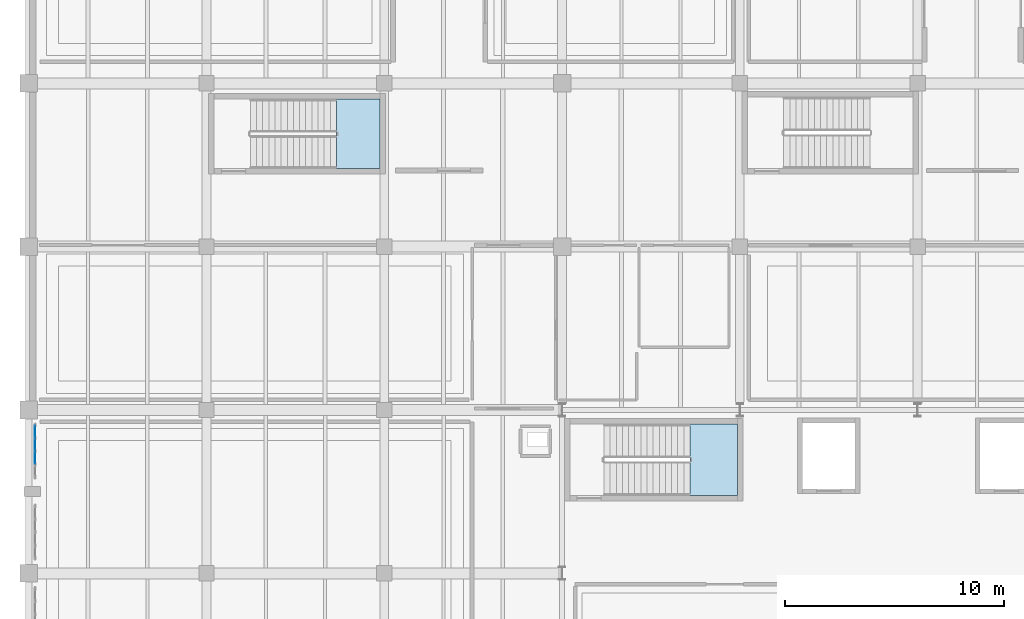
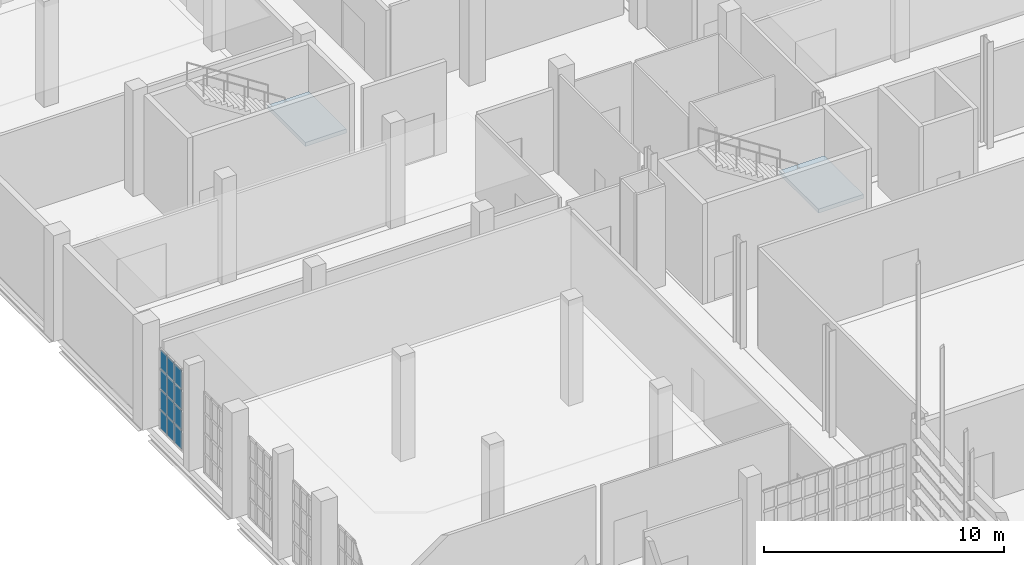
# One storey, part 337 of 372: 12 plates, 2 slabs, 3 elements without a shape of their own.
"""IFC4 building model written with IfcOpenShell, lengths in metres."""

from ifc_helpers import new_model, si_unit, direction, frame, origin, origin_2d, place, context, subcontext, project, spatial, polyline, rectangle, outline, extrude, material, layer, layer_set, type_object, element, aggregate, save


model = new_model("IFC4")

# Units and contexts
model_context = context("Model", 3, precision=1e-05, world=origin(), true_north=direction((0.0, 1.0)))
body_context = subcontext(model_context, "Body", "Model", "MODEL_VIEW")
ifc_project = project(units=[si_unit("LENGTHUNIT", "METRE"), si_unit("AREAUNIT", "SQUARE_METRE"), si_unit("VOLUMEUNIT", "CUBIC_METRE"), si_unit("PLANEANGLEUNIT", "RADIAN"), si_unit("MASSUNIT", "GRAM", prefix="KILO")], contexts=[model_context])

# Site, building, storey
site_placement = place(None, origin())
site = spatial("IfcSite", under=ifc_project, at=site_placement, CompositionType="ELEMENT")
building_placement = place(site_placement, origin())
building = spatial("IfcBuilding", under=site, at=building_placement, Name="Kaelora Sail Theatre", CompositionType="ELEMENT")
storey_placement = place(building_placement, origin())
storey = spatial("IfcBuildingStorey", under=building, at=storey_placement, Name="L00", CompositionType="ELEMENT", Elevation=0.0)

# Curtain wall, plates
ifc_material_1 = material(Name="Anodised aluminium and solar-control low-E IGU", Category="aluminium")
curtain_wall_type = type_object("IfcCurtainWallType", Name="ARC-CW-CW-FOY1", PredefinedType="NOTDEFINED", material=ifc_material_1)
curtain_wall_placement = place(storey_placement, origin())
curtain_wall = element("IfcCurtainWall", 1, at=curtain_wall_placement, inside=storey, type_object=curtain_wall_type, Name="Glazed Colonnade/Courtyard Curtain Wall FW1-W-L00-06", PredefinedType="NOTDEFINED")
ifc_material_2 = material(Name="Solar-control laminated low-E glass", Category="glass")
ifc_layer_1 = layer(ifc_material_2, 0.031982421875)
ifc_layer_set_1 = layer_set([ifc_layer_1], Name="Solar-control laminated low-E glass")
plate_type = type_object("IfcPlateType", Name="ARC-CW-PNL", PredefinedType="CURTAIN_PANEL", material=ifc_layer_set_1)
plate_1_placement = place(storey_placement, frame((1.7900390625, 81.164306640625, 0.070068359375), z_axis=(0.0, 0.0, 1.0), x_axis=(0.0, 1.0, 0.0)))
plate_1 = element("IfcPlate", 2, at=plate_1_placement, type_object=plate_type, Name="CW-FOY1 panel 2.1", PredefinedType="CURTAIN_PANEL", context=body_context, shape_type="SweptSolid", body=[
    extrude(rectangle(XDim=0.546142578125, YDim=0.031982421875, at=origin_2d()), origin(), (0.0, 0.0, 1.0), 0.92919921875),
])
plate_2_placement = place(storey_placement, frame((1.7900390625, 81.164306640625, 1.069091796875), z_axis=(0.0, 0.0, 1.0), x_axis=(0.0, 1.0, 0.0)))
plate_2 = element("IfcPlate", 3, at=plate_2_placement, type_object=plate_type, Name="CW-FOY1 panel 2.2", PredefinedType="CURTAIN_PANEL", context=body_context, shape_type="SweptSolid", body=[
    extrude(rectangle(XDim=0.546142578125, YDim=0.031982421875, at=origin_2d()), origin(), (0.0, 0.0, 1.0), 0.96435546875),
])
plate_3_placement = place(storey_placement, frame((1.7900390625, 81.164306640625, 2.103515625), z_axis=(0.0, 0.0, 1.0), x_axis=(0.0, 1.0, 0.0)))
plate_3 = element("IfcPlate", 4, at=plate_3_placement, type_object=plate_type, Name="CW-FOY1 panel 2.3", PredefinedType="CURTAIN_PANEL", context=body_context, shape_type="SweptSolid", body=[
    extrude(rectangle(XDim=0.546142578125, YDim=0.031982421875, at=origin_2d()), origin(), (0.0, 0.0, 1.0), 0.964111328125),
])
plate_4_placement = place(storey_placement, frame((1.7900390625, 81.164306640625, 3.1376953125), z_axis=(0.0, 0.0, 1.0), x_axis=(0.0, 1.0, 0.0)))
plate_4 = element("IfcPlate", 5, at=plate_4_placement, type_object=plate_type, Name="CW-FOY1 panel 2.4", PredefinedType="CURTAIN_PANEL", context=body_context, shape_type="SweptSolid", body=[
    extrude(rectangle(XDim=0.546142578125, YDim=0.031982421875, at=origin_2d()), origin(), (0.0, 0.0, 1.0), 0.92919921875),
])
plate_5_placement = place(storey_placement, frame((1.7900390625, 81.7705078125, 0.070068359375), z_axis=(0.0, 0.0, 1.0), x_axis=(0.0, 1.0, 0.0)))
plate_5 = element("IfcPlate", 6, at=plate_5_placement, type_object=plate_type, Name="CW-FOY1 panel 3.1", PredefinedType="CURTAIN_PANEL", context=body_context, shape_type="SweptSolid", body=[
    extrude(rectangle(XDim=0.546142578125, YDim=0.031982421875, at=origin_2d()), origin(), (0.0, 0.0, 1.0), 0.92919921875),
])
plate_6_placement = place(storey_placement, frame((1.7900390625, 81.7705078125, 1.069091796875), z_axis=(0.0, 0.0, 1.0), x_axis=(0.0, 1.0, 0.0)))
plate_6 = element("IfcPlate", 7, at=plate_6_placement, type_object=plate_type, Name="CW-FOY1 panel 3.2", PredefinedType="CURTAIN_PANEL", context=body_context, shape_type="SweptSolid", body=[
    extrude(rectangle(XDim=0.546142578125, YDim=0.031982421875, at=origin_2d()), origin(), (0.0, 0.0, 1.0), 0.96435546875),
])
plate_7_placement = place(storey_placement, frame((1.7900390625, 81.7705078125, 2.103515625), z_axis=(0.0, 0.0, 1.0), x_axis=(0.0, 1.0, 0.0)))
plate_7 = element("IfcPlate", 8, at=plate_7_placement, type_object=plate_type, Name="CW-FOY1 panel 3.3", PredefinedType="CURTAIN_PANEL", context=body_context, shape_type="SweptSolid", body=[
    extrude(rectangle(XDim=0.546142578125, YDim=0.031982421875, at=origin_2d()), origin(), (0.0, 0.0, 1.0), 0.964111328125),
])
plate_8_placement = place(storey_placement, frame((1.7900390625, 81.7705078125, 3.1376953125), z_axis=(0.0, 0.0, 1.0), x_axis=(0.0, 1.0, 0.0)))
plate_8 = element("IfcPlate", 9, at=plate_8_placement, type_object=plate_type, Name="CW-FOY1 panel 3.4", PredefinedType="CURTAIN_PANEL", context=body_context, shape_type="SweptSolid", body=[
    extrude(rectangle(XDim=0.546142578125, YDim=0.031982421875, at=origin_2d()), origin(), (0.0, 0.0, 1.0), 0.92919921875),
])
plate_9_placement = place(storey_placement, frame((1.7900390625, 82.36181640625, 0.070068359375), z_axis=(0.0, 0.0, 1.0), x_axis=(0.0, 1.0, 0.0)))
plate_9 = element("IfcPlate", 10, at=plate_9_placement, type_object=plate_type, Name="CW-FOY1 panel 4.1", PredefinedType="CURTAIN_PANEL", context=body_context, shape_type="SweptSolid", body=[
    extrude(rectangle(XDim=0.516357421875, YDim=0.031982421875, at=origin_2d()), origin(), (0.0, 0.0, 1.0), 0.92919921875),
])
plate_10_placement = place(storey_placement, frame((1.7900390625, 82.36181640625, 1.069091796875), z_axis=(0.0, 0.0, 1.0), x_axis=(0.0, 1.0, 0.0)))
plate_10 = element("IfcPlate", 11, at=plate_10_placement, type_object=plate_type, Name="CW-FOY1 panel 4.2", PredefinedType="CURTAIN_PANEL", context=body_context, shape_type="SweptSolid", body=[
    extrude(rectangle(XDim=0.516357421875, YDim=0.031982421875, at=origin_2d()), origin(), (0.0, 0.0, 1.0), 0.96435546875),
])
plate_11_placement = place(storey_placement, frame((1.7900390625, 82.36181640625, 2.103515625), z_axis=(0.0, 0.0, 1.0), x_axis=(0.0, 1.0, 0.0)))
plate_11 = element("IfcPlate", 12, at=plate_11_placement, type_object=plate_type, Name="CW-FOY1 panel 4.3", PredefinedType="CURTAIN_PANEL", context=body_context, shape_type="SweptSolid", body=[
    extrude(rectangle(XDim=0.516357421875, YDim=0.031982421875, at=origin_2d()), origin(), (0.0, 0.0, 1.0), 0.964111328125),
])
plate_12_placement = place(storey_placement, frame((1.7900390625, 82.36181640625, 3.1376953125), z_axis=(0.0, 0.0, 1.0), x_axis=(0.0, 1.0, 0.0)))
plate_12 = element("IfcPlate", 13, at=plate_12_placement, type_object=plate_type, Name="CW-FOY1 panel 4.4", PredefinedType="CURTAIN_PANEL", context=body_context, shape_type="SweptSolid", body=[
    extrude(rectangle(XDim=0.516357421875, YDim=0.031982421875, at=origin_2d()), origin(), (0.0, 0.0, 1.0), 0.92919921875),
])
aggregate(curtain_wall, [plate_1, plate_2, plate_3, plate_4, plate_5, plate_6, plate_7, plate_8, plate_9, plate_10, plate_11, plate_12])

# Stair, slab
ifc_material_3 = material(Name="Concrete C40/50", Category="concrete")
stair_type = type_object("IfcStairType", Name="ARC-ST-ESC150", PredefinedType="HALF_TURN_STAIR", material=ifc_material_3)
stair_1_placement = place(storey_placement, origin())
stair_1 = element("IfcStair", 14, at=stair_1_placement, inside=storey, type_object=stair_type, Name="L00 ST-K1", PredefinedType="HALF_TURN_STAIR")
ifc_material_4 = material(Name="Concrete C40/50", Category="concrete")
ifc_layer_2 = layer(ifc_material_4, 0.219970703125)
ifc_layer_set_2 = layer_set([ifc_layer_2], Name="Concrete C40/50")
slab_type = type_object("IfcSlabType", Name="ARC-SLB-LND220", PredefinedType="LANDING", material=ifc_layer_set_2)
slab_1_placement = place(storey_placement, frame((0.0, 0.0, 2.5)))
slab_1 = element("IfcSlab", 15, at=slab_1_placement, type_object=slab_type, Name="ST-K1 landing 1", PredefinedType="LANDING", context=body_context, shape_type="SweptSolid", body=[
    extrude(outline(polyline([(31.6298828125, 79.449951171875), (33.800048828125, 79.449951171875), (33.800048828125, 82.699951171875), (31.6298828125, 82.699951171875), (31.6298828125, 79.449951171875)])), origin(), (0.0, 0.0, 1.0), 0.199951171875),
])
aggregate(stair_1, [slab_1])

stair_2_placement = place(storey_placement, origin())
stair_2 = element("IfcStair", 16, at=stair_2_placement, inside=storey, type_object=stair_type, Name="L00 ST-W1", PredefinedType="HALF_TURN_STAIR")
slab_2_placement = place(storey_placement, frame((0.0, 0.0, 2.5)))
slab_2 = element("IfcSlab", 17, at=slab_2_placement, type_object=slab_type, Name="ST-W1 landing 1", PredefinedType="LANDING", context=body_context, shape_type="SweptSolid", body=[
    extrude(outline(polyline([(15.52001953125, 94.35009765625), (17.5, 94.35009765625), (17.5, 97.5), (15.52001953125, 97.5), (15.52001953125, 94.35009765625)])), origin(), (0.0, 0.0, 1.0), 0.199951171875),
])
aggregate(stair_2, [slab_2])

save(model, "model.ifc")
